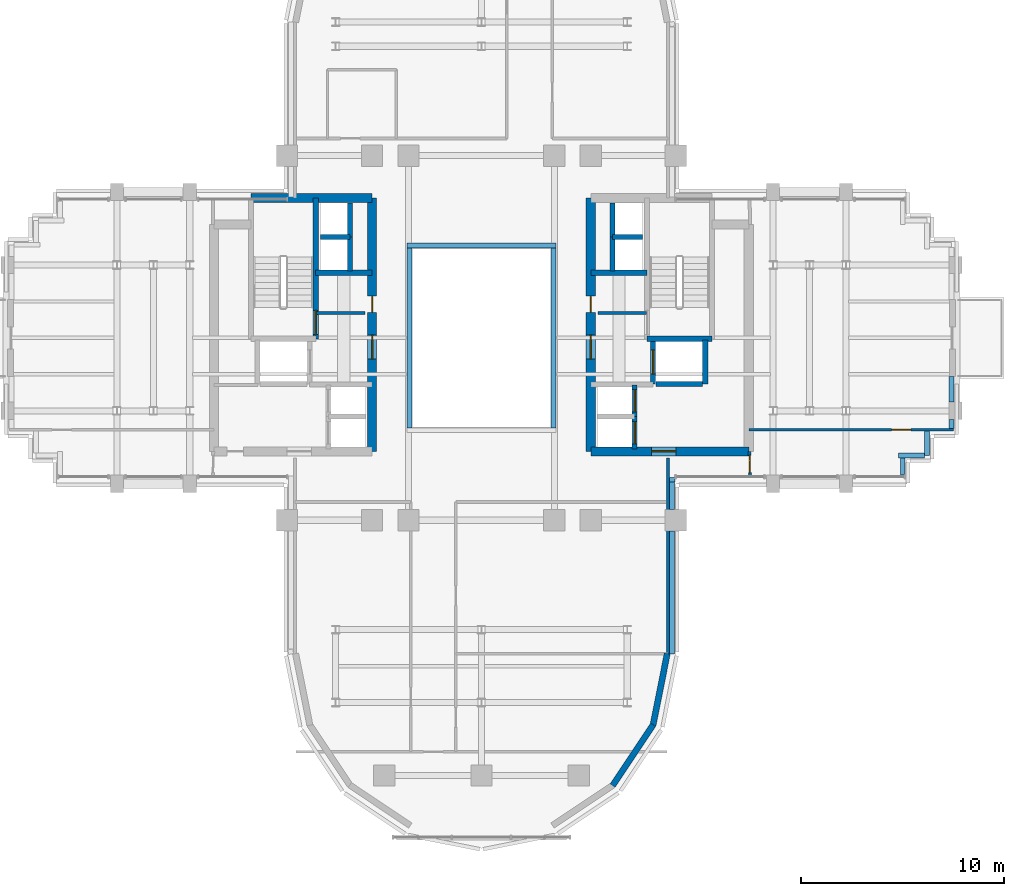
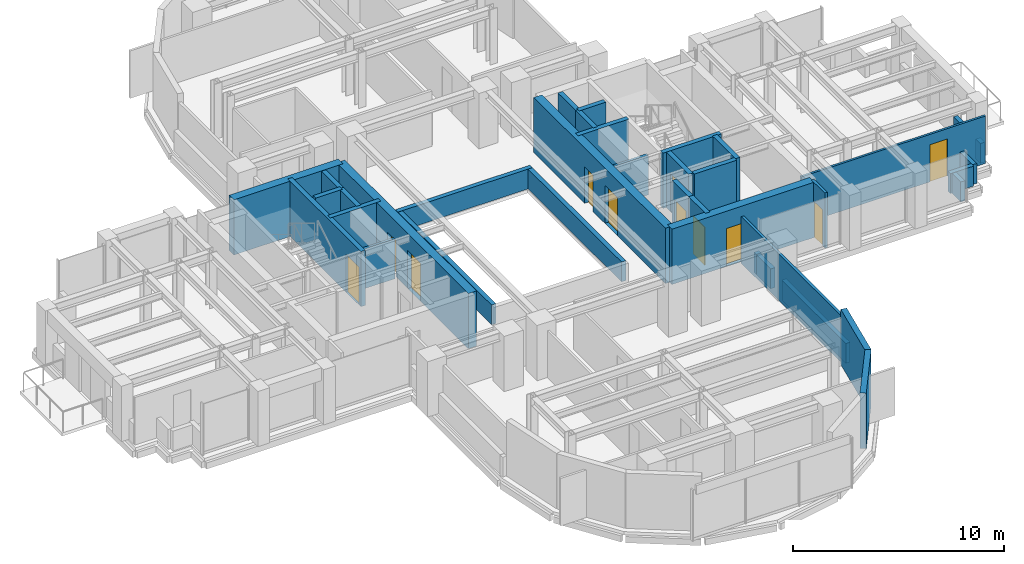
# One storey, part 9 of 13: 37 walls, 11 doors, 11 openings.
"""IFC4 building model written with IfcOpenShell, lengths in metres."""

from ifc_helpers import new_model, si_unit, direction, frame, frame_2d, origin, place, context, subcontext, project, spatial, rectangle, extrude, source, transform, mapped, material, layer, layer_set, type_object, element, fill, save


model = new_model("IFC4")

# Units and contexts
model_context = context("Model", 3, precision=1e-05, world=origin(), true_north=direction((0.0, 1.0)))
body_context = subcontext(model_context, "Body", "Model", "MODEL_VIEW")
ifc_project = project(units=[si_unit("LENGTHUNIT", "METRE"), si_unit("AREAUNIT", "SQUARE_METRE"), si_unit("VOLUMEUNIT", "CUBIC_METRE"), si_unit("PLANEANGLEUNIT", "RADIAN"), si_unit("MASSUNIT", "GRAM", prefix="KILO")], contexts=[model_context])

# Site, building, storey
site_placement = place(None, origin())
site = spatial("IfcSite", under=ifc_project, at=site_placement, CompositionType="ELEMENT")
building_placement = place(site_placement, origin())
building = spatial("IfcBuilding", under=site, at=building_placement, Name="Keilestroom Media Tower", CompositionType="ELEMENT")
storey_placement = place(building_placement, frame((0.0, 0.0, 100.60009765625)))
storey = spatial("IfcBuildingStorey", under=building, at=storey_placement, Name="L26", CompositionType="ELEMENT", Elevation=100.60009765625)

# Walls
ifc_material_1 = material(Name="Precast concrete C40/50", Category="concrete")
ifc_layer_1 = layer(ifc_material_1, 0.300048828125)
ifc_layer_set_1 = layer_set([ifc_layer_1], Name="Precast concrete C40/50")
wall_type_1 = type_object("IfcWallType", Name="Exterior-Masonry-Spandrel-Wall-300", PredefinedType="SOLIDWALL", material=ifc_layer_set_1)
for number, where, z_axis, x_axis, name in (
    (1, (6.47705078125, -22.097900390625, 0.0), (0.0, 0.0, 1.0), (0.555574187116, 0.831466970246, 0.0), "L26 Lobe Facet Precast Frame Wall 11"),
    (2, (8.470703125, -19.12451171875, 0.0), (0.0, 0.0, 1.0), (0.195114232679, 0.980780523974, 0.0), "L26 Lobe Facet Precast Frame Wall 12"),
):
    element("IfcWall", number, at=place(storey_placement, frame(where, z_axis=z_axis, x_axis=x_axis)), inside=storey, type_object=wall_type_1, Name=name, PredefinedType="SOLIDWALL", context=body_context, shape_type="SweptSolid", body=[
        extrude(rectangle(XDim=3.608642578125, YDim=0.300048828125, at=frame_2d((1.80419921875, 0.0))), origin(), (0.0, 0.0, 1.0), 3.199951171875),
    ])

# Wall, opening, door
ifc_material_2 = material(Name="Gypsum Plasterboard & Steel Stud", Category="steel")
ifc_layer_2 = layer(ifc_material_2, 0.1201171875)
ifc_layer_set_2 = layer_set([ifc_layer_2], Name="Gypsum Plasterboard & Steel Stud")
wall_type_2 = type_object("IfcWallType", Name="Interior-Partition-Wall-120", PredefinedType="PARTITIONING", material=ifc_layer_set_2)
wall_1_placement = place(storey_placement, frame((13.199951171875, -4.530029296875, 0.0), z_axis=(0.0, 0.0, 1.0), x_axis=(1.0, 0.0, 0.0)))
wall_1 = element("IfcWall", 3, at=wall_1_placement, inside=storey, type_object=wall_type_2, Name="L26 Interior Wall WP-L26-EA-CN", PredefinedType="PARTITIONING", context=body_context, shape_type="SweptSolid", body=[
    extrude(rectangle(XDim=10.10009765625, YDim=0.1201171875, at=frame_2d((5.050048828125, 0.0))), origin(), (0.0, 0.0, 1.0), 2.75),
])
opening_1_placement = place(wall_1_placement, frame((7.050048828125, 0.0, 0.0)))
opening_1 = element("IfcOpeningElement", 4, at=opening_1_placement, cuts=wall_1, Name="Opening DI-03", PredefinedType="OPENING", context=body_context, shape_type="SweptSolid", body=[
    extrude(rectangle(XDim=0.949951171875, YDim=2.14990234375, at=frame_2d((0.47509765625, 1.074951171875))), frame((0.0, 0.070068359375, 0.0), z_axis=(0.0, -1.0, 0.0), x_axis=(1.0, 0.0, 0.0)), (0.0, 0.0, 1.0), 0.14013671875),
])
ifc_material_3 = material(Name="Lacquered European Oak Leaf", Category="wood")
door_type_1 = type_object("IfcDoorType", Name="Interior-Room-And-Suite-Door-DI-03", OperationType="NOTDEFINED", PredefinedType="DOOR", material=ifc_material_3)
shared_shape_1 = source(origin(), body_context, "Body", "SweptSolid", [
    extrude(rectangle(XDim=0.949951171875, YDim=2.14990234375, at=frame_2d((0.47509765625, 1.074951171875))), frame((0.0, 0.02490234375, 0.0), z_axis=(0.0, -1.0, 0.0), x_axis=(1.0, 0.0, 0.0)), (0.0, 0.0, 1.0), 0.050048828125),
])
door_1_placement = place(opening_1_placement, origin())
door_1 = element("IfcDoor", 5, at=door_1_placement, inside=storey, type_object=door_type_1, Name="L26 Interior Door DI-L26-DEA-RN", OperationType="SINGLE_SWING_LEFT", OverallHeight=2.14990234375, OverallWidth=0.949951171875, PredefinedType="DOOR", context=body_context, shape_type="MappedRepresentation", body=[
    mapped(shared_shape_1, transform((0.0, 0.0, 0.0), x_axis=(1.0, 0.0, 0.0), y_axis=(0.0, 1.0, 0.0), z_axis=(0.0, 0.0, 1.0), scale=1.0)),
])
fill(opening_1, door_1)

# Walls
ifc_layer_3 = layer(ifc_material_2, 0.14990234375)
ifc_layer_set_3 = layer_set([ifc_layer_3], Name="Gypsum Plasterboard & Steel Stud")
wall_type_3 = type_object("IfcWallType", Name="Interior-Partition-Wall-150", PredefinedType="PARTITIONING", material=ifc_layer_set_3)
for number, where, z_axis, x_axis, name in (
    (6, (-8.139892578125, 1.239990234375, 0.0), (0.0, 0.0, 1.0), (1.0, 0.0, 0.0), "L26 Interior Wall WP-L26-FFW-TOP"),
    (7, (5.75, 1.239990234375, 0.0), (0.0, 0.0, 1.0), (1.0, 0.0, 0.0), "L26 Interior Wall WP-L26-FFE-TOP"),
):
    element("IfcWall", number, at=place(storey_placement, frame(where, z_axis=z_axis, x_axis=x_axis)), inside=storey, type_object=wall_type_3, Name=name, PredefinedType="PARTITIONING", context=body_context, shape_type="SweptSolid", body=[
        extrude(rectangle(XDim=2.389892578125, YDim=0.14990234375, at=frame_2d((1.19482421875, 0.0))), origin(), (0.0, 0.0, 1.0), 2.2998046875),
    ])
wall_2_placement = place(storey_placement, frame((9.199951171875, -15.679931640625, 0.0), z_axis=(0.0, 0.0, 1.0), x_axis=(0.0, 1.0, 0.0)))
element("IfcWall", 8, at=wall_2_placement, inside=storey, type_object=wall_type_3, Name="L26 Interior Wall WP-L26-SL-CHKE", PredefinedType="PARTITIONING", context=body_context, shape_type="SweptSolid", body=[
    extrude(rectangle(XDim=9.739990234375, YDim=0.14990234375, at=frame_2d((4.8701171875, 0.0))), origin(), (0.0, 0.0, 1.0), 2.699951171875),
])

# Wall, opening, door
wall_3_placement = place(storey_placement, frame((13.260009765625, -6.85009765625, 0.0), z_axis=(0.0, 0.0, 1.0), x_axis=(-0.016013571389, 0.999871774545, 0.0)))
wall_3 = element("IfcWall", 9, at=wall_3_placement, inside=storey, type_object=wall_type_3, Name="L26 Interior Wall WP-L26-EA-ENTS", PredefinedType="PARTITIONING", context=body_context, shape_type="SweptSolid", body=[
    extrude(rectangle(XDim=1.250244140625, YDim=0.14990234375, at=frame_2d((0.625, 0.0))), origin(), (0.0, 0.0, 1.0), 3.199951171875),
])
opening_2_placement = place(wall_3_placement, frame((0.199951171875, 0.0, 0.0)))
opening_2 = element("IfcOpeningElement", 10, at=opening_2_placement, cuts=wall_3, Name="Opening DI-05", PredefinedType="OPENING", context=body_context, shape_type="SweptSolid", body=[
    extrude(rectangle(XDim=0.85009765625, YDim=2.10009765625, at=frame_2d((0.425048828125, 1.050048828125))), frame((0.0, 0.0849609375, 0.0), z_axis=(0.0, -1.0, 0.0), x_axis=(1.0, 0.0, 0.0)), (0.0, 0.0, 1.0), 0.169921875),
])
ifc_material_4 = material(Name="Moisture-Resistant Oak Leaf", Category="wood")
door_type_2 = type_object("IfcDoorType", Name="Interior-En-Suite-And-Cupboard-Door-DI-05", OperationType="NOTDEFINED", PredefinedType="DOOR", material=ifc_material_4)
shared_shape_2 = source(origin(), body_context, "Body", "SweptSolid", [
    extrude(rectangle(XDim=0.85009765625, YDim=2.10009765625, at=frame_2d((0.425048828125, 1.050048828125))), frame((0.0, 0.02490234375, 0.0), z_axis=(0.0, -1.0, 0.0), x_axis=(1.0, 0.0, 0.0)), (0.0, 0.0, 1.0), 0.050048828125),
])
door_2_placement = place(opening_2_placement, origin())
door_2 = element("IfcDoor", 11, at=door_2_placement, inside=storey, type_object=door_type_2, Name="L26 Interior Door DI-L26-DEA-ENTS", OperationType="SINGLE_SWING_LEFT", OverallHeight=2.10009765625, OverallWidth=0.85009765625, PredefinedType="DOOR", context=body_context, shape_type="MappedRepresentation", body=[
    mapped(shared_shape_2, transform((0.0, 0.0, 0.0), x_axis=(1.0, 0.0, 0.0), y_axis=(0.0, 1.0, 0.0), z_axis=(0.0, 0.0, 1.0), scale=1.0)),
])
fill(opening_2, door_2)

# Wall, openings, doors
ifc_material_5 = material(Name="Concrete C55/67", Category="concrete")
ifc_layer_4 = layer(ifc_material_5, 0.449951171875)
ifc_layer_set_4 = layer_set([ifc_layer_4], Name="Concrete C55/67")
wall_type_4 = type_object("IfcWallType", Name="Reinforced-Concrete-Core-Shear-Wall-450", PredefinedType="SHEAR", material=ifc_layer_set_4)
wall_4_placement = place(storey_placement, frame((-5.39990234375, -5.60009765625, 0.0), z_axis=(0.0, 0.0, 1.0), x_axis=(0.0, 1.0, 0.0)))
wall_4 = element("IfcWall", 12, at=wall_4_placement, inside=storey, type_object=wall_type_4, Name="L26 Core Shear Wall WL-L26-CORE-W-IN", PredefinedType="SHEAR", context=body_context, shape_type="SweptSolid", body=[
    extrude(rectangle(XDim=12.5, YDim=0.449951171875, at=frame_2d((6.25, 0.0))), origin(), (0.0, 0.0, 1.0), 3.199951171875),
])
opening_3_placement = place(wall_4_placement, frame((4.550048828125, 0.0, 0.0)))
opening_3 = element("IfcOpeningElement", 13, at=opening_3_placement, cuts=wall_4, Name="Opening DI-02", PredefinedType="OPENING", context=body_context, shape_type="SweptSolid", body=[
    extrude(rectangle(XDim=1.199951171875, YDim=2.199951171875, at=frame_2d((0.60009765625, 1.10009765625))), frame((0.0, 0.23486328125, 0.0), z_axis=(0.0, -1.0, 0.0), x_axis=(1.0, 0.0, 0.0)), (0.0, 0.0, 1.0), 0.469970703125),
])
opening_4_placement = place(wall_4_placement, frame((6.860107421875, 0.0, 0.0)))
opening_4 = element("IfcOpeningElement", 14, at=opening_4_placement, cuts=wall_4, Name="Opening DI-06", PredefinedType="OPENING", context=body_context, shape_type="SweptSolid", body=[
    extrude(rectangle(XDim=0.800048828125, YDim=2.10009765625, at=frame_2d((0.39990234375, 1.050048828125))), frame((0.0, 0.23486328125, 0.0), z_axis=(0.0, -1.0, 0.0), x_axis=(1.0, 0.0, 0.0)), (0.0, 0.0, 1.0), 0.469970703125),
])
ifc_material_6 = material(Name="Powder-Coated Steel Fire Leaf", Category="steel")
door_type_3 = type_object("IfcDoorType", Name="Interior-Compartment-Fire-Door-DI-02", OperationType="NOTDEFINED", PredefinedType="DOOR", material=ifc_material_6)
shared_shape_3 = source(origin(), body_context, "Body", "SweptSolid", [
    extrude(rectangle(XDim=1.199951171875, YDim=2.199951171875, at=frame_2d((0.60009765625, 1.10009765625))), frame((0.0, 0.02490234375, 0.0), z_axis=(0.0, -1.0, 0.0), x_axis=(1.0, 0.0, 0.0)), (0.0, 0.0, 1.0), 0.050048828125),
])
door_3_placement = place(opening_3_placement, origin())
door_3 = element("IfcDoor", 15, at=door_3_placement, inside=storey, type_object=door_type_3, Name="L26 W Firefighting Lobby Door", OperationType="SINGLE_SWING_RIGHT", OverallHeight=2.199951171875, OverallWidth=1.199951171875, PredefinedType="DOOR", context=body_context, shape_type="MappedRepresentation", body=[
    mapped(shared_shape_3, transform((0.0, 0.0, 0.0), x_axis=(1.0, 0.0, 0.0), y_axis=(0.0, 1.0, 0.0), z_axis=(0.0, 0.0, 1.0), scale=1.0)),
])
fill(opening_3, door_3)
ifc_material_7 = material(Name="Powder-Coated Steel Service Leaf", Category="steel")
door_type_4 = type_object("IfcDoorType", Name="Interior-Riser-Access-Door-DI-06", OperationType="NOTDEFINED", PredefinedType="DOOR", material=ifc_material_7)
shared_shape_4 = source(origin(), body_context, "Body", "SweptSolid", [
    extrude(rectangle(XDim=0.800048828125, YDim=2.10009765625, at=frame_2d((0.39990234375, 1.050048828125))), frame((0.0, 0.02490234375, 0.0), z_axis=(0.0, -1.0, 0.0), x_axis=(1.0, 0.0, 0.0)), (0.0, 0.0, 1.0), 0.050048828125),
])
door_4_placement = place(opening_4_placement, origin())
door_4 = element("IfcDoor", 16, at=door_4_placement, inside=storey, type_object=door_type_4, Name="L26 West Core Switchroom Door", OperationType="SINGLE_SWING_LEFT", OverallHeight=2.10009765625, OverallWidth=0.800048828125, PredefinedType="DOOR", context=body_context, shape_type="MappedRepresentation", body=[
    mapped(shared_shape_4, transform((0.0, 0.0, 0.0), x_axis=(1.0, 0.0, 0.0), y_axis=(0.0, 1.0, 0.0), z_axis=(0.0, 0.0, 1.0), scale=1.0)),
])
fill(opening_4, door_4)

# Wall
wall_5_placement = place(storey_placement, frame((-11.381103515625, 6.89990234375, 0.0), z_axis=(0.0, 0.0, 1.0), x_axis=(1.0, 0.0, 0.0)))
element("IfcWall", 17, at=wall_5_placement, inside=storey, type_object=wall_type_4, Name="L26 Core Shear Wall WL-L26-CORE-W-N", PredefinedType="SHEAR", context=body_context, shape_type="SweptSolid", body=[
    extrude(rectangle(XDim=5.981201171875, YDim=0.449951171875, at=frame_2d((2.99072265625, 0.0))), origin(), (0.0, 0.0, 1.0), 3.199951171875),
])

# Wall, openings, doors
wall_6_placement = place(storey_placement, frame((5.39990234375, -5.60009765625, 0.0), z_axis=(0.0, 0.0, 1.0), x_axis=(0.0, 1.0, 0.0)))
wall_6 = element("IfcWall", 18, at=wall_6_placement, inside=storey, type_object=wall_type_4, Name="L26 Core Shear Wall WL-L26-CORE-E-IN", PredefinedType="SHEAR", context=body_context, shape_type="SweptSolid", body=[
    extrude(rectangle(XDim=12.5, YDim=0.449951171875, at=frame_2d((6.25, 0.0))), origin(), (0.0, 0.0, 1.0), 3.199951171875),
])
opening_5_placement = place(wall_6_placement, frame((4.550048828125, 0.0, 0.0)))
opening_5 = element("IfcOpeningElement", 19, at=opening_5_placement, cuts=wall_6, Name="Opening DI-02", PredefinedType="OPENING", context=body_context, shape_type="SweptSolid", body=[
    extrude(rectangle(XDim=1.199951171875, YDim=2.199951171875, at=frame_2d((0.60009765625, 1.10009765625))), frame((0.0, 0.23486328125, 0.0), z_axis=(0.0, -1.0, 0.0), x_axis=(1.0, 0.0, 0.0)), (0.0, 0.0, 1.0), 0.469970703125),
])
opening_6_placement = place(wall_6_placement, frame((6.860107421875, 0.0, 0.0)))
opening_6 = element("IfcOpeningElement", 20, at=opening_6_placement, cuts=wall_6, Name="Opening DI-06", PredefinedType="OPENING", context=body_context, shape_type="SweptSolid", body=[
    extrude(rectangle(XDim=0.800048828125, YDim=2.10009765625, at=frame_2d((0.39990234375, 1.050048828125))), frame((0.0, 0.23486328125, 0.0), z_axis=(0.0, -1.0, 0.0), x_axis=(1.0, 0.0, 0.0)), (0.0, 0.0, 1.0), 0.469970703125),
])
door_5_placement = place(opening_5_placement, origin())
door_5 = element("IfcDoor", 21, at=door_5_placement, inside=storey, type_object=door_type_3, Name="L26 E Firefighting Lobby Door", OperationType="SINGLE_SWING_LEFT", OverallHeight=2.199951171875, OverallWidth=1.199951171875, PredefinedType="DOOR", context=body_context, shape_type="MappedRepresentation", body=[
    mapped(shared_shape_3, transform((0.0, 0.0, 0.0), x_axis=(1.0, 0.0, 0.0), y_axis=(0.0, 1.0, 0.0), z_axis=(0.0, 0.0, 1.0), scale=1.0)),
])
fill(opening_5, door_5)
door_6_placement = place(opening_6_placement, origin())
door_6 = element("IfcDoor", 22, at=door_6_placement, inside=storey, type_object=door_type_4, Name="L26 East Core Telecom Door", OperationType="SINGLE_SWING_RIGHT", OverallHeight=2.10009765625, OverallWidth=0.800048828125, PredefinedType="DOOR", context=body_context, shape_type="MappedRepresentation", body=[
    mapped(shared_shape_4, transform((0.0, 0.0, 0.0), x_axis=(1.0, 0.0, 0.0), y_axis=(0.0, 1.0, 0.0), z_axis=(0.0, 0.0, 1.0), scale=1.0)),
])
fill(opening_6, door_6)

# Wall, opening, door
wall_7_placement = place(storey_placement, frame((5.39990234375, -5.60009765625, 0.0), z_axis=(0.0, 0.0, 1.0), x_axis=(1.0, 0.0, 0.0)))
wall_7 = element("IfcWall", 23, at=wall_7_placement, inside=storey, type_object=wall_type_4, Name="L26 Core Shear Wall WL-L26-CORE-E-S", PredefinedType="SHEAR", context=body_context, shape_type="SweptSolid", body=[
    extrude(rectangle(XDim=7.800048828125, YDim=0.449951171875, at=frame_2d((3.89990234375, 0.0))), origin(), (0.0, 0.0, 1.0), 3.199951171875),
])
opening_7_placement = place(wall_7_placement, frame((3.0, 0.0, 0.0)))
opening_7 = element("IfcOpeningElement", 24, at=opening_7_placement, cuts=wall_7, Name="Opening DI-02", PredefinedType="OPENING", context=body_context, shape_type="SweptSolid", body=[
    extrude(rectangle(XDim=1.199951171875, YDim=2.199951171875, at=frame_2d((0.60009765625, 1.10009765625))), frame((0.0, 0.23486328125, 0.0), z_axis=(0.0, -1.0, 0.0), x_axis=(1.0, 0.0, 0.0)), (0.0, 0.0, 1.0), 0.469970703125),
])
door_7_placement = place(opening_7_placement, origin())
door_7 = element("IfcDoor", 25, at=door_7_placement, inside=storey, type_object=door_type_3, Name="L26 E Passenger Lift Lobby Door", OperationType="SINGLE_SWING_RIGHT", OverallHeight=2.199951171875, OverallWidth=1.199951171875, PredefinedType="DOOR", context=body_context, shape_type="MappedRepresentation", body=[
    mapped(shared_shape_3, transform((0.0, 0.0, 0.0), x_axis=(1.0, 0.0, 0.0), y_axis=(0.0, 1.0, 0.0), z_axis=(0.0, 0.0, 1.0), scale=1.0)),
])
fill(opening_7, door_7)

# Wall
ifc_material_8 = material(Name="Concrete C50/60", Category="concrete")
ifc_layer_5 = layer(ifc_material_8, 0.25)
ifc_layer_set_5 = layer_set([ifc_layer_5], Name="Concrete C50/60")
wall_type_5 = type_object("IfcWallType", Name="Reinforced-Concrete-Shaft-Wall-250", PredefinedType="SOLIDWALL", material=ifc_layer_set_5)
wall_8_placement = place(storey_placement, frame((-8.179931640625, 3.219970703125, 0.0), z_axis=(0.0, 0.0, 1.0), x_axis=(1.0, 0.0, 0.0)))
element("IfcWall", 26, at=wall_8_placement, inside=storey, type_object=wall_type_5, Name="L26 Core Shear Wall WL-L26-CORE-W-FFN", PredefinedType="SOLIDWALL", context=body_context, shape_type="SweptSolid", body=[
    extrude(rectangle(XDim=2.780029296875, YDim=0.25, at=frame_2d((1.39013671875, 0.0))), origin(), (0.0, 0.0, 1.0), 3.199951171875),
])

# Wall, opening, door
wall_9_placement = place(storey_placement, frame((-8.178955078125, -0.041015625, 0.0), z_axis=(0.0, 0.0, 1.0), x_axis=(0.0, 1.0, 0.0)))
wall_9 = element("IfcWall", 27, at=wall_9_placement, inside=storey, type_object=wall_type_5, Name="L26 Core Shear Wall WL-L26-STW-W-NEAR", PredefinedType="SOLIDWALL", context=body_context, shape_type="SweptSolid", body=[
    extrude(rectangle(XDim=6.94091796875, YDim=0.25, at=frame_2d((3.470458984375, 0.0))), origin(), (0.0, 0.0, 1.0), 3.199951171875),
])
opening_8_placement = place(wall_9_placement, frame((0.199951171875, 0.0, 0.0)))
opening_8 = element("IfcOpeningElement", 28, at=opening_8_placement, cuts=wall_9, Name="Opening DI-01S", PredefinedType="OPENING", context=body_context, shape_type="SweptSolid", body=[
    extrude(rectangle(XDim=1.199951171875, YDim=2.199951171875, at=frame_2d((0.60009765625, 1.10009765625))), frame((0.0, 0.135009765625, 0.0), z_axis=(0.0, -1.0, 0.0), x_axis=(1.0, 0.0, 0.0)), (0.0, 0.0, 1.0), 0.27001953125),
])
door_type_5 = type_object("IfcDoorType", Name="Interior-Stair-And-Core-Fire-Door-DI-01", OperationType="NOTDEFINED", PredefinedType="DOOR", material=ifc_material_6)
door_8_placement = place(opening_8_placement, origin())
door_8 = element("IfcDoor", 29, at=door_8_placement, inside=storey, type_object=door_type_5, Name="L26 Escape Stair ST-1 Fire Door", OperationType="SINGLE_SWING_LEFT", OverallHeight=2.199951171875, OverallWidth=1.199951171875, PredefinedType="DOOR", context=body_context, shape_type="MappedRepresentation", body=[
    mapped(shared_shape_3, transform((0.0, 0.0, 0.0), x_axis=(1.0, 0.0, 0.0), y_axis=(0.0, 1.0, 0.0), z_axis=(0.0, 0.0, 1.0), scale=1.0)),
])
fill(opening_8, door_8)

# Walls
wall_10_placement = place(storey_placement, frame((5.39990234375, 3.219970703125, 0.0), z_axis=(0.0, 0.0, 1.0), x_axis=(1.0, 0.0, 0.0)))
element("IfcWall", 30, at=wall_10_placement, inside=storey, type_object=wall_type_5, Name="L26 Core Shear Wall WL-L26-CORE-E-FFN", PredefinedType="SOLIDWALL", context=body_context, shape_type="SweptSolid", body=[
    extrude(rectangle(XDim=2.780029296875, YDim=0.25, at=frame_2d((1.39013671875, 0.0))), origin(), (0.0, 0.0, 1.0), 3.199951171875),
])
wall_11_placement = place(storey_placement, frame((8.178955078125, -0.041015625, 0.0), z_axis=(0.0, 0.0, 1.0), x_axis=(1.0, 0.0, 0.0)))
element("IfcWall", 31, at=wall_11_placement, inside=storey, type_object=wall_type_5, Name="L26 Core Shear Wall WL-L26-STW-E-S", PredefinedType="SOLIDWALL", context=body_context, shape_type="SweptSolid", body=[
    extrude(rectangle(XDim=3.2021484375, YDim=0.25, at=frame_2d((1.60107421875, 0.0))), origin(), (0.0, 0.0, 1.0), 3.199951171875),
])

# Wall, opening, door
wall_12_placement = place(storey_placement, frame((8.47998046875, -2.280029296875, 0.0), z_axis=(0.0, 0.0, 1.0), x_axis=(0.0, 1.0, 0.0)))
wall_12 = element("IfcWall", 32, at=wall_12_placement, inside=storey, type_object=wall_type_5, Name="L26 Core Shear Wall WL-L26-LSH-FFL-2-W", PredefinedType="SOLIDWALL", context=body_context, shape_type="SweptSolid", body=[
    extrude(rectangle(XDim=2.179931640625, YDim=0.25, at=frame_2d((1.08984375, 0.0))), origin(), (0.0, 0.0, 1.0), 3.199951171875),
])
opening_9_placement = place(wall_12_placement, frame((0.489990234375, 0.0, 0.0)))
opening_9 = element("IfcOpeningElement", 33, at=opening_9_placement, cuts=wall_12, Name="Opening LD-02", PredefinedType="OPENING", context=body_context, shape_type="SweptSolid", body=[
    extrude(rectangle(XDim=1.199951171875, YDim=2.199951171875, at=frame_2d((0.60009765625, 1.10009765625))), frame((0.0, 0.135009765625, 0.0), z_axis=(0.0, -1.0, 0.0), x_axis=(1.0, 0.0, 0.0)), (0.0, 0.0, 1.0), 0.27001953125),
])
ifc_material_9 = material(Name="Brushed Stainless Steel Sliding Leaf", Category="steel")
door_type_6 = type_object("IfcDoorType", Name="Lift-Landing-Sliding-Door-LD-02", OperationType="SLIDING_TO_RIGHT", PredefinedType="DOOR", material=ifc_material_9)
door_9_placement = place(opening_9_placement, origin())
door_9 = element("IfcDoor", 34, at=door_9_placement, inside=storey, type_object=door_type_6, Name="L26 Lift FFL-2 Landing Sliding Door", OperationType="SLIDING_TO_RIGHT", OverallHeight=2.199951171875, OverallWidth=1.199951171875, PredefinedType="DOOR", context=body_context, shape_type="MappedRepresentation", body=[
    mapped(shared_shape_3, transform((0.0, 0.0, 0.0), x_axis=(1.0, 0.0, 0.0), y_axis=(0.0, 1.0, 0.0), z_axis=(0.0, 0.0, 1.0), scale=1.0)),
])
fill(opening_9, door_9)

# Walls
wall_13_placement = place(storey_placement, frame((11.050048828125, -2.280029296875, 0.0), z_axis=(0.0, 0.0, 1.0), x_axis=(0.0, 1.0, 0.0)))
element("IfcWall", 35, at=wall_13_placement, inside=storey, type_object=wall_type_5, Name="L26 Core Shear Wall WL-L26-LSH-FFL-2-E", PredefinedType="SOLIDWALL", context=body_context, shape_type="SweptSolid", body=[
    extrude(rectangle(XDim=2.179931640625, YDim=0.25, at=frame_2d((1.08984375, 0.0))), origin(), (0.0, 0.0, 1.0), 3.199951171875),
])
wall_14_placement = place(storey_placement, frame((8.60888671875, -2.280029296875, 0.0), z_axis=(0.0, 0.0, 1.0), x_axis=(1.0, 0.0, 0.0)))
element("IfcWall", 36, at=wall_14_placement, inside=storey, type_object=wall_type_5, Name="L26 Core Shear Wall WL-L26-LSH-FFL-2-S", PredefinedType="SOLIDWALL", context=body_context, shape_type="SweptSolid", body=[
    extrude(rectangle(XDim=2.31201171875, YDim=0.25, at=frame_2d((1.156005859375, 0.0))), origin(), (0.0, 0.0, 1.0), 3.199951171875),
])

# Wall, opening, door
wall_15_placement = place(storey_placement, frame((7.56005859375, -5.47998046875, 0.0), z_axis=(0.0, 0.0, 1.0), x_axis=(0.0, 1.0, 0.0)))
wall_15 = element("IfcWall", 37, at=wall_15_placement, inside=storey, type_object=wall_type_5, Name="L26 Core Shear Wall WL-L26-LSH-PL-M3-E", PredefinedType="SOLIDWALL", context=body_context, shape_type="SweptSolid", body=[
    extrude(rectangle(XDim=1.60009765625, YDim=0.25, at=frame_2d((0.800048828125, 0.0))), origin(), (0.0, 0.0, 1.0), 3.199951171875),
])
opening_10_placement = place(wall_15_placement, frame((0.25, 0.0, 0.0)))
opening_10 = element("IfcOpeningElement", 38, at=opening_10_placement, cuts=wall_15, Name="Opening LD-01", PredefinedType="OPENING", context=body_context, shape_type="SweptSolid", body=[
    extrude(rectangle(XDim=1.10009765625, YDim=2.199951171875, at=frame_2d((0.550048828125, 1.10009765625))), frame((0.0, 0.135009765625, 0.0), z_axis=(0.0, -1.0, 0.0), x_axis=(1.0, 0.0, 0.0)), (0.0, 0.0, 1.0), 0.27001953125),
])
door_type_7 = type_object("IfcDoorType", Name="Lift-Landing-Sliding-Door-LD-01", OperationType="SLIDING_TO_LEFT", PredefinedType="DOOR", material=ifc_material_9)
shared_shape_5 = source(origin(), body_context, "Body", "SweptSolid", [
    extrude(rectangle(XDim=1.10009765625, YDim=2.199951171875, at=frame_2d((0.550048828125, 1.10009765625))), frame((0.0, 0.02490234375, 0.0), z_axis=(0.0, -1.0, 0.0), x_axis=(1.0, 0.0, 0.0)), (0.0, 0.0, 1.0), 0.050048828125),
])
door_10_placement = place(opening_10_placement, origin())
door_10 = element("IfcDoor", 39, at=door_10_placement, inside=storey, type_object=door_type_7, Name="L26 Lift PL-M3 Landing Sliding Door", OperationType="SLIDING_TO_LEFT", OverallHeight=2.199951171875, OverallWidth=1.10009765625, PredefinedType="DOOR", context=body_context, shape_type="MappedRepresentation", body=[
    mapped(shared_shape_5, transform((0.0, 0.0, 0.0), x_axis=(1.0, 0.0, 0.0), y_axis=(0.0, 1.0, 0.0), z_axis=(0.0, 0.0, 1.0), scale=1.0)),
])
fill(opening_10, door_10)

wall_16_placement = place(storey_placement, frame((7.56005859375, -3.8798828125, 0.0), z_axis=(0.0, 0.0, 1.0), x_axis=(0.0, 1.0, 0.0)))
wall_16 = element("IfcWall", 40, at=wall_16_placement, inside=storey, type_object=wall_type_5, Name="L26 Core Shear Wall WL-L26-LSH-PL-M4-E", PredefinedType="SOLIDWALL", context=body_context, shape_type="SweptSolid", body=[
    extrude(rectangle(XDim=1.559814453125, YDim=0.25, at=frame_2d((0.77978515625, 0.0))), origin(), (0.0, 0.0, 1.0), 3.199951171875),
])
opening_11_placement = place(wall_16_placement, frame((0.22998046875, 0.0, 0.0)))
opening_11 = element("IfcOpeningElement", 41, at=opening_11_placement, cuts=wall_16, Name="Opening LD-01", PredefinedType="OPENING", context=body_context, shape_type="SweptSolid", body=[
    extrude(rectangle(XDim=1.10009765625, YDim=2.199951171875, at=frame_2d((0.550048828125, 1.10009765625))), frame((0.0, 0.135009765625, 0.0), z_axis=(0.0, -1.0, 0.0), x_axis=(1.0, 0.0, 0.0)), (0.0, 0.0, 1.0), 0.27001953125),
])
door_11_placement = place(opening_11_placement, origin())
door_11 = element("IfcDoor", 42, at=door_11_placement, inside=storey, type_object=door_type_7, Name="L26 Lift PL-M4 Landing Sliding Door", OperationType="SLIDING_TO_LEFT", OverallHeight=2.199951171875, OverallWidth=1.10009765625, PredefinedType="DOOR", context=body_context, shape_type="MappedRepresentation", body=[
    mapped(shared_shape_5, transform((0.0, 0.0, 0.0), x_axis=(1.0, 0.0, 0.0), y_axis=(0.0, 1.0, 0.0), z_axis=(0.0, 0.0, 1.0), scale=1.0)),
])
fill(opening_11, door_11)

# Walls
wall_17_placement = place(storey_placement, frame((-6.47998046875, 3.300048828125, 0.0), z_axis=(0.0, 0.0, 1.0), x_axis=(0.0, 1.0, 0.0)))
element("IfcWall", 43, at=wall_17_placement, inside=storey, type_object=wall_type_5, Name="L26 Core Shear Wall WL-L26-LSH-PL-H1-E", PredefinedType="SOLIDWALL", context=body_context, shape_type="SweptSolid", body=[
    extrude(rectangle(XDim=1.679931640625, YDim=0.25, at=frame_2d((0.83984375, 0.0))), origin(), (0.0, 0.0, 1.0), 3.199951171875),
])
wall_18_placement = place(storey_placement, frame((-7.949951171875, 4.97998046875, 0.0), z_axis=(0.0, 0.0, 1.0), x_axis=(1.0, 0.0, 0.0)))
element("IfcWall", 44, at=wall_18_placement, inside=storey, type_object=wall_type_5, Name="L26 Core Shear Wall WL-L26-LSH-PL-H1-N", PredefinedType="SOLIDWALL", context=body_context, shape_type="SweptSolid", body=[
    extrude(rectangle(XDim=1.469970703125, YDim=0.25, at=frame_2d((0.73486328125, 0.0))), origin(), (0.0, 0.0, 1.0), 3.199951171875),
])
wall_19_placement = place(storey_placement, frame((-6.47998046875, 4.97998046875, 0.0), z_axis=(0.0, 0.0, 1.0), x_axis=(0.0, 1.0, 0.0)))
element("IfcWall", 45, at=wall_19_placement, inside=storey, type_object=wall_type_5, Name="L26 Core Shear Wall WL-L26-LSH-PL-H2-E", PredefinedType="SOLIDWALL", context=body_context, shape_type="SweptSolid", body=[
    extrude(rectangle(XDim=1.669921875, YDim=0.25, at=frame_2d((0.8349609375, 0.0))), origin(), (0.0, 0.0, 1.0), 3.199951171875),
])
wall_20_placement = place(storey_placement, frame((6.47998046875, 3.300048828125, 0.0), z_axis=(0.0, 0.0, 1.0), x_axis=(0.0, 1.0, 0.0)))
element("IfcWall", 46, at=wall_20_placement, inside=storey, type_object=wall_type_5, Name="L26 Core Shear Wall WL-L26-LSH-PL-H3-W", PredefinedType="SOLIDWALL", context=body_context, shape_type="SweptSolid", body=[
    extrude(rectangle(XDim=1.679931640625, YDim=0.25, at=frame_2d((0.83984375, 0.0))), origin(), (0.0, 0.0, 1.0), 3.199951171875),
])
wall_21_placement = place(storey_placement, frame((6.47998046875, 4.97998046875, 0.0), z_axis=(0.0, 0.0, 1.0), x_axis=(1.0, 0.0, 0.0)))
element("IfcWall", 47, at=wall_21_placement, inside=storey, type_object=wall_type_5, Name="L26 Core Shear Wall WL-L26-LSH-PL-H3-N", PredefinedType="SOLIDWALL", context=body_context, shape_type="SweptSolid", body=[
    extrude(rectangle(XDim=1.469970703125, YDim=0.25, at=frame_2d((0.73486328125, 0.0))), origin(), (0.0, 0.0, 1.0), 3.199951171875),
])
wall_22_placement = place(storey_placement, frame((6.47998046875, 4.97998046875, 0.0), z_axis=(0.0, 0.0, 1.0), x_axis=(0.0, 1.0, 0.0)))
element("IfcWall", 48, at=wall_22_placement, inside=storey, type_object=wall_type_5, Name="L26 Core Shear Wall WL-L26-LSH-PL-H4-W", PredefinedType="SOLIDWALL", context=body_context, shape_type="SweptSolid", body=[
    extrude(rectangle(XDim=1.669921875, YDim=0.25, at=frame_2d((0.8349609375, 0.0))), origin(), (0.0, 0.0, 1.0), 3.199951171875),
])
ifc_layer_6 = layer(ifc_material_1, 0.239990234375)
ifc_layer_set_6 = layer_set([ifc_layer_6], Name="Precast concrete C40/50")
wall_type_6 = type_object("IfcWallType", Name="Roof-And-Terrace-Parapet-Wall-240", PredefinedType="PARAPET", material=ifc_layer_set_6)
wall_23_placement = place(storey_placement, frame((22.0, -4.593017578125, 0.0), z_axis=(0.0, 0.0, 1.0), x_axis=(0.0, -1.0, 0.0)))
element("IfcWall", 49, at=wall_23_placement, inside=storey, type_object=wall_type_6, Name="L26 Perimeter Edge Parapet Wall 01", PredefinedType="PARAPET", context=body_context, shape_type="SweptSolid", body=[
    extrude(rectangle(XDim=1.20703125, YDim=0.239990234375, at=frame_2d((0.603515625, 0.0))), origin(), (0.0, 0.0, 1.0), 1.14990234375),
])
wall_24_placement = place(storey_placement, frame((21.876953125, -5.800048828125, 0.0), z_axis=(0.0, 0.0, 1.0), x_axis=(-1.0, 0.0, 0.0)))
element("IfcWall", 50, at=wall_24_placement, inside=storey, type_object=wall_type_6, Name="L26 Perimeter Edge Parapet Wall 02", PredefinedType="PARAPET", context=body_context, shape_type="SweptSolid", body=[
    extrude(rectangle(XDim=1.27685546875, YDim=0.239990234375, at=frame_2d((0.638427734375, 0.0))), origin(), (0.0, 0.0, 1.0), 1.14990234375),
])
wall_25_placement = place(storey_placement, frame((20.800048828125, -5.923095703125, 0.0), z_axis=(0.0, 0.0, 1.0), x_axis=(0.0, -1.0, 0.0)))
element("IfcWall", 51, at=wall_25_placement, inside=storey, type_object=wall_type_6, Name="L26 Perimeter Edge Parapet Wall 03", PredefinedType="PARAPET", context=body_context, shape_type="SweptSolid", body=[
    extrude(rectangle(XDim=0.833984375, YDim=0.239990234375, at=frame_2d((0.4169921875, 0.0))), origin(), (0.0, 0.0, 1.0), 1.14990234375),
])
wall_26_placement = place(storey_placement, frame((9.547119140625, -7.0, 0.0), z_axis=(0.0, 0.0, 1.0), x_axis=(-1.0, 0.0, 0.0)))
element("IfcWall", 52, at=wall_26_placement, inside=storey, type_object=wall_type_6, Name="L26 Perimeter Edge Parapet Wall 04", PredefinedType="PARAPET", context=body_context, shape_type="SweptSolid", body=[
    extrude(rectangle(XDim=0.26904296875, YDim=0.239990234375, at=frame_2d((0.134521484375, 0.0))), origin(), (0.0, 0.0, 1.0), 1.14990234375),
])
wall_27_placement = place(storey_placement, frame((9.39990234375, -7.123046875, 0.0), z_axis=(0.0, 0.0, 1.0), x_axis=(0.0, -1.0, 0.0)))
element("IfcWall", 53, at=wall_27_placement, inside=storey, type_object=wall_type_6, Name="L26 Perimeter Edge Parapet Wall 05", PredefinedType="PARAPET", context=body_context, shape_type="SweptSolid", body=[
    extrude(rectangle(XDim=1.348876953125, YDim=0.239990234375, at=frame_2d((0.67431640625, 0.0))), origin(), (0.0, 0.0, 1.0), 1.14990234375),
])
wall_28_placement = place(storey_placement, frame((9.39990234375, -9.528076171875, 0.0), z_axis=(0.0, 0.0, 1.0), x_axis=(0.0, -1.0, 0.0)))
element("IfcWall", 54, at=wall_28_placement, inside=storey, type_object=wall_type_6, Name="L26 Perimeter Edge Parapet Wall 06", PredefinedType="PARAPET", context=body_context, shape_type="SweptSolid", body=[
    extrude(rectangle(XDim=6.07470703125, YDim=0.239990234375, at=frame_2d((3.037353515625, 0.0))), origin(), (0.0, 0.0, 1.0), 1.14990234375),
])
wall_29_placement = place(storey_placement, frame((23.199951171875, -1.903076171875, 0.0), z_axis=(0.0, 0.0, 1.0), x_axis=(0.0, -1.0, 0.0)))
element("IfcWall", 55, at=wall_29_placement, inside=storey, type_object=wall_type_6, Name="L26 Perimeter Edge Parapet Wall 32", PredefinedType="PARAPET", context=body_context, shape_type="SweptSolid", body=[
    extrude(rectangle(XDim=1.26904296875, YDim=0.239990234375, at=frame_2d((0.634521484375, 0.0))), origin(), (0.0, 0.0, 1.0), 1.14990234375),
])
wall_30_placement = place(storey_placement, frame((23.199951171875, -4.028076171875, 0.0), z_axis=(0.0, 0.0, 1.0), x_axis=(0.0, -1.0, 0.0)))
element("IfcWall", 56, at=wall_30_placement, inside=storey, type_object=wall_type_6, Name="L26 Perimeter Edge Parapet Wall 33", PredefinedType="PARAPET", context=body_context, shape_type="SweptSolid", body=[
    extrude(rectangle(XDim=0.43896484375, YDim=0.239990234375, at=frame_2d((0.219482421875, 0.0))), origin(), (0.0, 0.0, 1.0), 1.14990234375),
])
wall_31_placement = place(storey_placement, frame((-3.679931640625, 4.56005859375, 0.0), z_axis=(0.0, 0.0, 1.0), x_axis=(1.0, 0.0, 0.0)))
element("IfcWall", 57, at=wall_31_placement, inside=storey, type_object=wall_type_6, Name="L26 Central Atrium Guard Parapet N", PredefinedType="PARAPET", context=body_context, shape_type="SweptSolid", body=[
    extrude(rectangle(XDim=7.35986328125, YDim=0.239990234375, at=frame_2d((3.679931640625, 0.0))), origin(), (0.0, 0.0, 1.0), 1.14990234375),
])
for number, where, z_axis, x_axis, name in (
    (58, (-3.56005859375, -4.43505859375, 0.0), (0.0, 0.0, 1.0), (0.0, 1.0, 0.0), "L26 Central Atrium Guard Parapet W"),
    (59, (3.56005859375, -4.43505859375, 0.0), (0.0, 0.0, 1.0), (0.0, 1.0, 0.0), "L26 Central Atrium Guard Parapet E"),
):
    element("IfcWall", number, at=place(storey_placement, frame(where, z_axis=z_axis, x_axis=x_axis)), inside=storey, type_object=wall_type_6, Name=name, PredefinedType="PARAPET", context=body_context, shape_type="SweptSolid", body=[
        extrude(rectangle(XDim=8.8701171875, YDim=0.239990234375, at=frame_2d((4.43505859375, 0.0))), origin(), (0.0, 0.0, 1.0), 1.14990234375),
    ])

save(model, "model.ifc")
